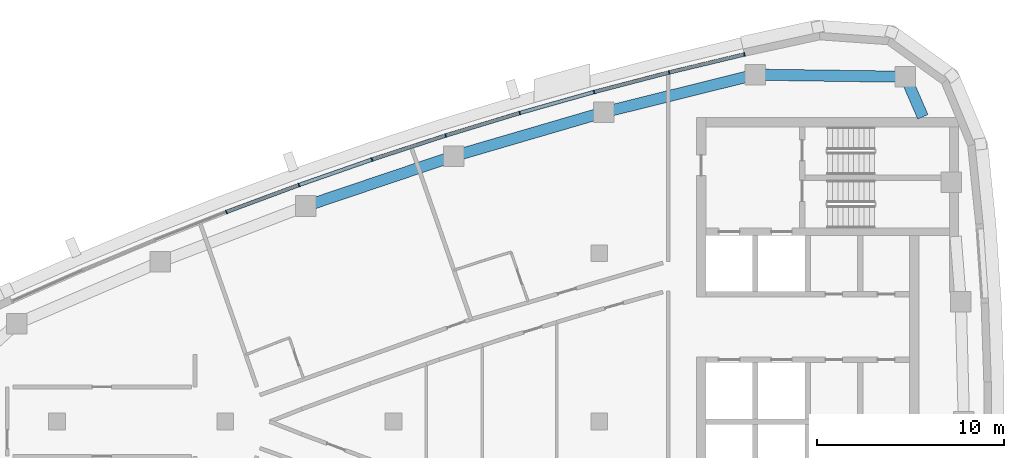
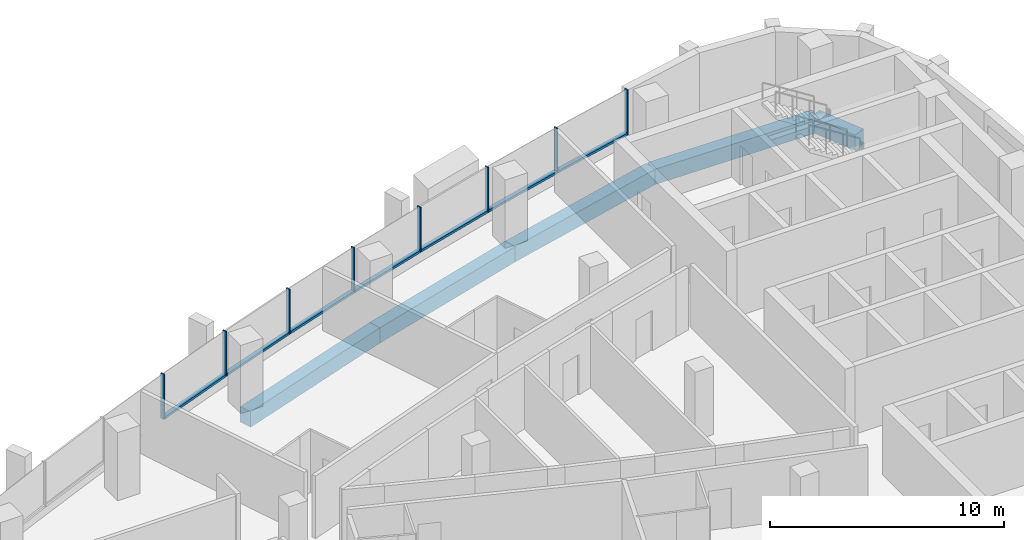
# One storey, part 5 of 13: 15 members, 5 beams, 4 elements without a shape of their own.
"""IFC4 building model written with IfcOpenShell, lengths in metres."""

from ifc_helpers import new_model, si_unit, direction, frame, origin, origin_2d, place, context, subcontext, project, spatial, rectangle, extrude, material, layer, layer_set, material_profile, profile_set, type_object, element, aggregate, save


model = new_model("IFC4")

# Units and contexts
model_context = context("Model", 3, precision=1e-05, world=origin(), true_north=direction((0.0, 1.0)))
body_context = subcontext(model_context, "Body", "Model", "MODEL_VIEW")
ifc_project = project(units=[si_unit("LENGTHUNIT", "METRE"), si_unit("AREAUNIT", "SQUARE_METRE"), si_unit("VOLUMEUNIT", "CUBIC_METRE"), si_unit("PLANEANGLEUNIT", "RADIAN"), si_unit("MASSUNIT", "GRAM", prefix="KILO")], contexts=[model_context])

# Site, building, storey
site_placement = place(None, origin())
site = spatial("IfcSite", under=ifc_project, at=site_placement, CompositionType="ELEMENT")
building_placement = place(site_placement, origin())
building = spatial("IfcBuilding", under=site, at=building_placement, Name="Ostrand Prow Hotel Tower", CompositionType="ELEMENT")
storey_placement = place(building_placement, frame((0.0, 0.0, 282.10009765625)))
storey = spatial("IfcBuildingStorey", under=building, at=storey_placement, Name="L71", CompositionType="ELEMENT", Elevation=282.10009765625)

# Beams
ifc_material_1 = material(Name="Concrete C50/60", Category="concrete")
ifc_material_profile_1 = material_profile(ifc_material_1, rectangle(XDim=0.60009765625, YDim=0.800048828125, at=origin_2d()), Name="RC 600x800")
ifc_profile_set_1 = profile_set([ifc_material_profile_1], Name="Concrete C50/60")
beam_type = type_object("IfcBeamType", Name="Edge beam 600x800 C50/60", PredefinedType="SPANDREL", material=ifc_profile_set_1)
beam_1_placement = place(storey_placement, frame((62.304931640625, 16.300048828125, -0.7001953125), z_axis=(-0.398863844187, 0.91701016014, 0.0), x_axis=(-0.91701016014, -0.398863844187, 0.0)))
element("IfcBeam", 1, at=beam_1_placement, inside=storey, type_object=beam_type, Name="Edge beam B5-NE", PredefinedType="SPANDREL", context=body_context, shape_type="SweptSolid", body=[
    extrude(rectangle(XDim=0.60009765625, YDim=0.800048828125, at=origin_2d()), origin(), (0.0, 0.0, 1.0), 2.333251953125),
])
beam_2_placement = place(storey_placement, frame((61.374267578125, 18.439697265625, -0.7001953125), z_axis=(-0.999900689486, 0.014092947356, 0.0), x_axis=(-0.014092947356, -0.999900689486, 0.0)))
element("IfcBeam", 2, at=beam_2_placement, inside=storey, type_object=beam_type, Name="Edge beam NE-N1", PredefinedType="SPANDREL", context=body_context, shape_type="SweptSolid", body=[
    extrude(rectangle(XDim=0.60009765625, YDim=0.800048828125, at=origin_2d()), origin(), (0.0, 0.0, 1.0), 8.0380859375),
])
for number, where, z_axis, x_axis, name in (
    (3, (53.3369140625, 18.552978515625, -0.7001953125), (-0.970456465292, -0.241276291775, 0.0), (0.241276291775, -0.970456465292, 0.0), "Edge beam N1-N2"),
    (4, (45.234619140625, 16.53857421875, -0.7001953125), (-0.959821966031, -0.280609681809, 0.0), (0.280609681809, -0.959821966031, 0.0), "Edge beam N2-N3"),
    (5, (37.22119140625, 14.19580078125, -0.7001953125), (-0.947575089419, -0.319533174981, 0.0), (0.319533174981, -0.947575089419, 0.0), "Edge beam N3-N4"),
):
    element("IfcBeam", number, at=place(storey_placement, frame(where, z_axis=z_axis, x_axis=x_axis)), inside=storey, type_object=beam_type, Name=name, PredefinedType="SPANDREL", context=body_context, shape_type="SweptSolid", body=[
        extrude(rectangle(XDim=0.60009765625, YDim=0.800048828125, at=origin_2d()), origin(), (0.0, 0.0, 1.0), 8.348876953125),
    ])

# Curtain wall, members
ifc_material_2 = material(Name="Insulated glass in bronze anodised frame", Category="glass")
ifc_layer = layer(ifc_material_2, 0.199951171875)
ifc_layer_set = layer_set([ifc_layer], Name="Insulated glass in bronze anodised frame")
curtain_wall_type = type_object("IfcCurtainWallType", Name="Strip curtain wall, fritted glass over bronze spandrel", PredefinedType="NOTDEFINED", material=ifc_layer_set)
curtain_wall_1_placement = place(storey_placement, origin())
curtain_wall_1 = element("IfcCurtainWall", 6, at=curtain_wall_1_placement, inside=storey, type_object=curtain_wall_type, Name="CW1 run CWN1", PredefinedType="NOTDEFINED")
ifc_material_3 = material(Name="Bronze anodised aluminium", Category="aluminium")
ifc_material_profile_2 = material_profile(ifc_material_3, rectangle(XDim=0.199951171875, YDim=0.06005859375, at=origin_2d()), Name="Mullion 60x200 bronze anodised aluminium")
ifc_profile_set_2 = profile_set([ifc_material_profile_2], Name="Bronze anodised aluminium")
member_type_1 = type_object("IfcMemberType", Name="Mullion 60x200 bronze anodised aluminium", PredefinedType="MULLION", material=ifc_profile_set_2)
member_1_placement = place(storey_placement, frame((52.7607421875, 19.634521484375, 0.89990234375), z_axis=(0.0, 0.0, 1.0), x_axis=(0.232746096028, -0.972537533869, 0.0)))
member_1 = element("IfcMember", 7, at=member_1_placement, type_object=member_type_1, Name="CW1 mullion 1", PredefinedType="MULLION", context=body_context, shape_type="SweptSolid", body=[
    extrude(rectangle(XDim=0.199951171875, YDim=0.06005859375, at=origin_2d()), origin(), (0.0, 0.0, 1.0), 2.35009765625),
])
member_2_placement = place(storey_placement, frame((48.734619140625, 18.6708984375, 0.89990234375), z_axis=(0.0, 0.0, 1.0), x_axis=(0.252248384867, -0.967662519855, 0.0)))
member_2 = element("IfcMember", 8, at=member_2_placement, type_object=member_type_1, Name="CW1 mullion 2", PredefinedType="MULLION", context=body_context, shape_type="SweptSolid", body=[
    extrude(rectangle(XDim=0.199951171875, YDim=0.06005859375, at=origin_2d()), origin(), (0.0, 0.0, 1.0), 2.35009765625),
])
member_3_placement = place(storey_placement, frame((44.728515625, 17.626708984375, 0.89990234375), z_axis=(0.0, 0.0, 1.0), x_axis=(0.252248384867, -0.967662519855, 0.0)))
member_3 = element("IfcMember", 9, at=member_3_placement, type_object=member_type_1, Name="CW1 mullion 3", PredefinedType="MULLION", context=body_context, shape_type="SweptSolid", body=[
    extrude(rectangle(XDim=0.199951171875, YDim=0.06005859375, at=origin_2d()), origin(), (0.0, 0.0, 1.0), 2.35009765625),
])

curtain_wall_2_placement = place(storey_placement, origin())
curtain_wall_2 = element("IfcCurtainWall", 10, at=curtain_wall_2_placement, inside=storey, type_object=curtain_wall_type, Name="CW1 run CWN2", PredefinedType="NOTDEFINED")
member_4_placement = place(storey_placement, frame((40.744384765625, 16.502197265625, 0.89990234375), z_axis=(0.0, 0.0, 1.0), x_axis=(0.290937648411, -0.956742015769, 0.0)))
member_4 = element("IfcMember", 11, at=member_4_placement, type_object=member_type_1, Name="CW1 mullion 2", PredefinedType="MULLION", context=body_context, shape_type="SweptSolid", body=[
    extrude(rectangle(XDim=0.199951171875, YDim=0.06005859375, at=origin_2d()), origin(), (0.0, 0.0, 1.0), 2.35009765625),
])
member_5_placement = place(storey_placement, frame((36.78369140625, 15.297607421875, 0.89990234375), z_axis=(0.0, 0.0, 1.0), x_axis=(0.290937648411, -0.956742015769, 0.0)))
member_5 = element("IfcMember", 12, at=member_5_placement, type_object=member_type_1, Name="CW1 mullion 3", PredefinedType="MULLION", context=body_context, shape_type="SweptSolid", body=[
    extrude(rectangle(XDim=0.199951171875, YDim=0.06005859375, at=origin_2d()), origin(), (0.0, 0.0, 1.0), 2.35009765625),
])

curtain_wall_3_placement = place(storey_placement, origin())
curtain_wall_3 = element("IfcCurtainWall", 13, at=curtain_wall_3_placement, inside=storey, type_object=curtain_wall_type, Name="CW1 run CWN3", PredefinedType="NOTDEFINED")
member_6_placement = place(storey_placement, frame((32.84814453125, 14.013916015625, 0.89990234375), z_axis=(0.0, 0.0, 1.0), x_axis=(0.329158370885, -0.944274730614, 0.0)))
member_6 = element("IfcMember", 14, at=member_6_placement, type_object=member_type_1, Name="CW1 mullion 2", PredefinedType="MULLION", context=body_context, shape_type="SweptSolid", body=[
    extrude(rectangle(XDim=0.199951171875, YDim=0.06005859375, at=origin_2d()), origin(), (0.0, 0.0, 1.0), 2.35009765625),
])
member_7_placement = place(storey_placement, frame((28.93896484375, 12.6513671875, 0.89990234375), z_axis=(0.0, 0.0, 1.0), x_axis=(0.329158370885, -0.944274730614, 0.0)))
member_7 = element("IfcMember", 15, at=member_7_placement, type_object=member_type_1, Name="CW1 mullion 3", PredefinedType="MULLION", context=body_context, shape_type="SweptSolid", body=[
    extrude(rectangle(XDim=0.199951171875, YDim=0.06005859375, at=origin_2d()), origin(), (0.0, 0.0, 1.0), 2.35009765625),
])

# Curtain wall, member
curtain_wall_4_placement = place(storey_placement, origin())
curtain_wall_4 = element("IfcCurtainWall", 16, at=curtain_wall_4_placement, inside=storey, type_object=curtain_wall_type, Name="CW1 run CWN4", PredefinedType="NOTDEFINED")
member_8_placement = place(storey_placement, frame((25.05810546875, 11.210205078125, 0.89990234375), z_axis=(0.0, 0.0, 1.0), x_axis=(0.366845465248, -0.930281895249, 0.0)))
member_8 = element("IfcMember", 17, at=member_8_placement, type_object=member_type_1, Name="CW1 mullion 2", PredefinedType="MULLION", context=body_context, shape_type="SweptSolid", body=[
    extrude(rectangle(XDim=0.199951171875, YDim=0.06005859375, at=origin_2d()), origin(), (0.0, 0.0, 1.0), 2.35009765625),
])

# Member
ifc_material_4 = material(Name="Bronze anodised aluminium", Category="aluminium")
ifc_material_profile_3 = material_profile(ifc_material_4, rectangle(XDim=0.199951171875, YDim=0.1201171875, at=origin_2d()), Name="Transom 120x200 bronze anodised aluminium")
ifc_profile_set_3 = profile_set([ifc_material_profile_3], Name="Bronze anodised aluminium")
member_type_2 = type_object("IfcMemberType", Name="Transom 120x200 bronze anodised aluminium", PredefinedType="USERDEFINED", material=ifc_profile_set_3)
member_9_placement = place(storey_placement, frame((52.7314453125, 19.62744140625, 0.9599609375), z_axis=(-0.972542980558, -0.232723335675, 0.0), x_axis=(0.232723335675, -0.972542980558, 0.0)))
member_9 = element("IfcMember", 18, at=member_9_placement, type_object=member_type_2, Name="CW1 transom 1.1", ObjectType="TRANSOM", PredefinedType="USERDEFINED", context=body_context, shape_type="SweptSolid", body=[
    extrude(rectangle(XDim=0.199951171875, YDim=0.1201171875, at=origin_2d()), origin(), (0.0, 0.0, 1.0), 4.079833984375),
])

member_10_placement = place(storey_placement, frame((48.70556640625, 18.663330078125, 0.9599609375), z_axis=(-0.967664917891, -0.252239185461, 0.0), x_axis=(0.252239185461, -0.967664917891, 0.0)))
member_10 = element("IfcMember", 19, at=member_10_placement, type_object=member_type_2, Name="CW1 transom 2.1", ObjectType="TRANSOM", PredefinedType="USERDEFINED", context=body_context, shape_type="SweptSolid", body=[
    extrude(rectangle(XDim=0.199951171875, YDim=0.1201171875, at=origin_2d()), origin(), (0.0, 0.0, 1.0), 4.07958984375),
])

aggregate(curtain_wall_1, [member_1, member_2, member_3, member_9, member_10])

member_11_placement = place(storey_placement, frame((44.69970703125, 17.61865234375, 0.9599609375), z_axis=(-0.962386308628, -0.271684730828, 0.0), x_axis=(0.271684730828, -0.962386308628, 0.0)))
member_11 = element("IfcMember", 20, at=member_11_placement, type_object=member_type_2, Name="CW1 transom 1.1", ObjectType="TRANSOM", PredefinedType="USERDEFINED", context=body_context, shape_type="SweptSolid", body=[
    extrude(rectangle(XDim=0.199951171875, YDim=0.1201171875, at=origin_2d()), origin(), (0.0, 0.0, 1.0), 4.079833984375),
])

member_12_placement = place(storey_placement, frame((40.7158203125, 16.493408203125, 0.9599609375), z_axis=(-0.956739081124, -0.290947298751, 0.0), x_axis=(0.290947298751, -0.956739081124, 0.0)))
member_12 = element("IfcMember", 21, at=member_12_placement, type_object=member_type_2, Name="CW1 transom 2.1", ObjectType="TRANSOM", PredefinedType="USERDEFINED", context=body_context, shape_type="SweptSolid", body=[
    extrude(rectangle(XDim=0.199951171875, YDim=0.1201171875, at=origin_2d()), origin(), (0.0, 0.0, 1.0), 4.079833984375),
])

aggregate(curtain_wall_2, [member_4, member_5, member_11, member_12])

member_13_placement = place(storey_placement, frame((36.75537109375, 15.288330078125, 0.9599609375), z_axis=(-0.950704145978, -0.310099382165, 0.0), x_axis=(0.310099382165, -0.950704145978, 0.0)))
member_13 = element("IfcMember", 22, at=member_13_placement, type_object=member_type_2, Name="CW1 transom 1.1", ObjectType="TRANSOM", PredefinedType="USERDEFINED", context=body_context, shape_type="SweptSolid", body=[
    extrude(rectangle(XDim=0.199951171875, YDim=0.1201171875, at=origin_2d()), origin(), (0.0, 0.0, 1.0), 4.079833984375),
])

member_14_placement = place(storey_placement, frame((32.81982421875, 14.004150390625, 0.9599609375), z_axis=(-0.944268108385, -0.329177367822, 0.0), x_axis=(0.329177367822, -0.944268108385, 0.0)))
member_14 = element("IfcMember", 23, at=member_14_placement, type_object=member_type_2, Name="CW1 transom 2.1", ObjectType="TRANSOM", PredefinedType="USERDEFINED", context=body_context, shape_type="SweptSolid", body=[
    extrude(rectangle(XDim=0.199951171875, YDim=0.1201171875, at=origin_2d()), origin(), (0.0, 0.0, 1.0), 4.079833984375),
])

aggregate(curtain_wall_3, [member_6, member_7, member_13, member_14])

member_15_placement = place(storey_placement, frame((28.910888671875, 12.640869140625, 0.9599609375), z_axis=(-0.937460424566, -0.348091873465, 0.0), x_axis=(0.348091873465, -0.937460424566, 0.0)))
member_15 = element("IfcMember", 24, at=member_15_placement, type_object=member_type_2, Name="CW1 transom 1.1", ObjectType="TRANSOM", PredefinedType="USERDEFINED", context=body_context, shape_type="SweptSolid", body=[
    extrude(rectangle(XDim=0.199951171875, YDim=0.1201171875, at=origin_2d()), origin(), (0.0, 0.0, 1.0), 4.079833984375),
])

aggregate(curtain_wall_4, [member_8, member_15])

save(model, "model.ifc")
